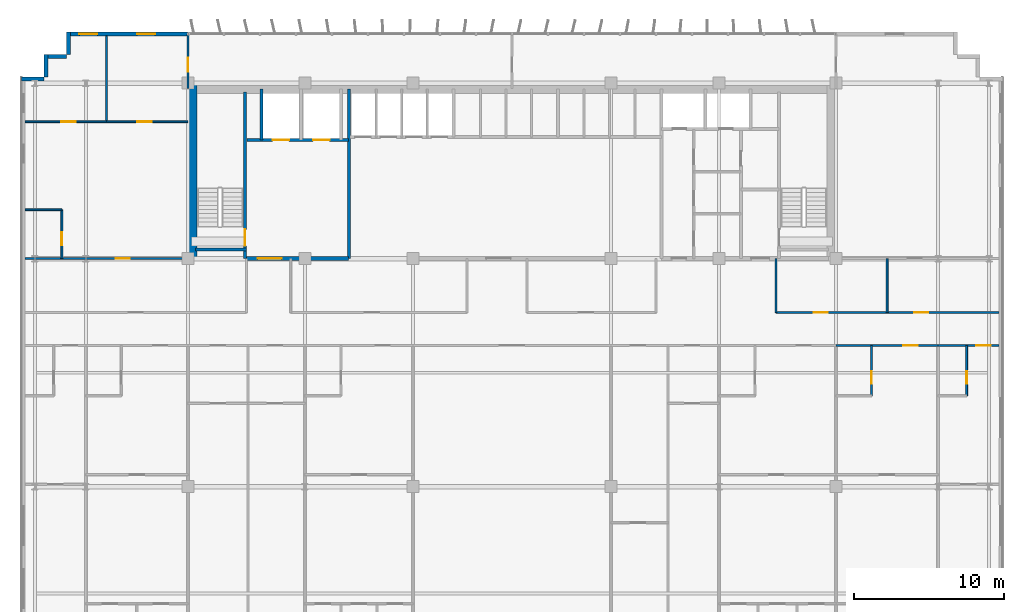
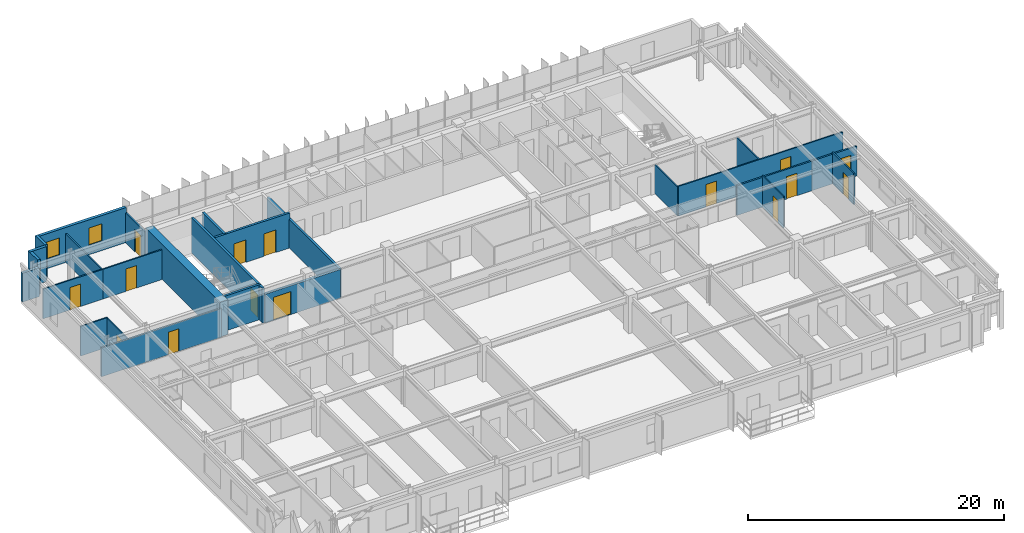
# One storey, part 17 of 22: 26 walls, 15 doors, 2 windows, 17 openings.
"""IFC4 building model written with IfcOpenShell, lengths in metres."""

from ifc_helpers import new_model, si_unit, direction, frame, frame_2d, origin, place, context, subcontext, project, spatial, rectangle, extrude, source, transform, mapped, material, layer, layer_set, type_object, element, fill, save


model = new_model("IFC4")

# Units and contexts
model_context = context("Model", 3, precision=1e-05, world=origin(), true_north=direction((0.0, 1.0)))
body_context = subcontext(model_context, "Body", "Model", "MODEL_VIEW")
ifc_project = project(units=[si_unit("LENGTHUNIT", "METRE"), si_unit("AREAUNIT", "SQUARE_METRE"), si_unit("VOLUMEUNIT", "CUBIC_METRE"), si_unit("PLANEANGLEUNIT", "RADIAN"), si_unit("MASSUNIT", "GRAM", prefix="KILO")], contexts=[model_context])

# Site, building, storey
site_placement = place(None, origin())
site = spatial("IfcSite", under=ifc_project, at=site_placement, CompositionType="ELEMENT")
building_placement = place(site_placement, origin())
building = spatial("IfcBuilding", under=site, at=building_placement, Name="Trelvane Seafront Commons", CompositionType="ELEMENT")
storey_placement = place(building_placement, frame((0.0, 0.0, 96.10009765625)))
storey = spatial("IfcBuildingStorey", under=building, at=storey_placement, Name="L24", CompositionType="ELEMENT", Elevation=96.10009765625)

# Wall, openings, windows
ifc_material_1 = material(Name="Precast concrete C40/50", Category="concrete")
ifc_layer_1 = layer(ifc_material_1, 0.260009765625, Name="ARCH-WALL-EXT260")
ifc_layer_set_1 = layer_set([ifc_layer_1], Name="Precast concrete C40/50")
wall_type_1 = type_object("IfcWallType", Name="ARCH-WALL-EXT260", PredefinedType="SOLIDWALL", material=ifc_layer_set_1)
wall_1_placement = place(storey_placement, frame((7.60009765625, 48.3701171875, 0.0), z_axis=(0.0, 0.0, 1.0), x_axis=(1.0, 0.0, 0.0)))
wall_1 = element("IfcWall", 1, at=wall_1_placement, inside=storey, type_object=wall_type_1, Name="EW-L24-NW-0433", PredefinedType="SOLIDWALL", context=body_context, shape_type="SweptSolid", body=[
    extrude(rectangle(XDim=8.0, YDim=0.260009765625, at=frame_2d((4.0, 0.0))), origin(), (0.0, 0.0, 1.0), 3.33984375),
])
opening_1_placement = place(wall_1_placement, frame((0.76806640625, 0.0, 0.89990234375)))
opening_1 = element("IfcOpeningElement", 2, at=opening_1_placement, cuts=wall_1, Name="Opening W05", PredefinedType="OPENING", context=body_context, shape_type="SweptSolid", body=[
    extrude(rectangle(XDim=1.199951171875, YDim=1.64990234375, at=frame_2d((0.60009765625, 0.824951171875))), frame((0.0, 0.139892578125, 0.0), z_axis=(0.0, -1.0, 0.0), x_axis=(1.0, 0.0, 0.0)), (0.0, 0.0, 1.0), 0.280029296875),
])
opening_2_placement = place(wall_1_placement, frame((4.60791015625, 0.0, 0.89990234375)))
opening_2 = element("IfcOpeningElement", 3, at=opening_2_placement, cuts=wall_1, Name="Opening W05", PredefinedType="OPENING", context=body_context, shape_type="SweptSolid", body=[
    extrude(rectangle(XDim=1.199951171875, YDim=1.64990234375, at=frame_2d((0.60009765625, 0.824951171875))), frame((0.0, 0.139892578125, 0.0), z_axis=(0.0, -1.0, 0.0), x_axis=(1.0, 0.0, 0.0)), (0.0, 0.0, 1.0), 0.280029296875),
])
ifc_material_2 = material(Name="Low-E coastal double glazing", Category="glass")
window_type = type_object("IfcWindowType", Name="ARCH-WIN-W05", PartitioningType="SINGLE_PANEL", PredefinedType="WINDOW", material=ifc_material_2)
shared_shape_1 = source(origin(), body_context, "Body", "SweptSolid", [
    extrude(rectangle(XDim=1.199951171875, YDim=1.64990234375, at=frame_2d((0.60009765625, 0.824951171875))), frame((0.0, 0.030029296875, 0.0), z_axis=(0.0, -1.0, 0.0), x_axis=(1.0, 0.0, 0.0)), (0.0, 0.0, 1.0), 0.06005859375),
])
window_1_placement = place(opening_1_placement, origin())
window_1 = element("IfcWindow", 4, at=window_1_placement, inside=storey, type_object=window_type, Name="WIN-L24-00504", OverallHeight=1.64990234375, OverallWidth=1.199951171875, PartitioningType="SINGLE_PANEL", PredefinedType="WINDOW", context=body_context, shape_type="MappedRepresentation", body=[
    mapped(shared_shape_1, transform((0.0, 0.0, 0.0), x_axis=(1.0, 0.0, 0.0), y_axis=(0.0, 1.0, 0.0), z_axis=(0.0, 0.0, 1.0), scale=1.0)),
])
fill(opening_1, window_1)
window_2_placement = place(opening_2_placement, origin())
window_2 = element("IfcWindow", 5, at=window_2_placement, inside=storey, type_object=window_type, Name="WIN-L24-00505", OverallHeight=1.64990234375, OverallWidth=1.199951171875, PartitioningType="SINGLE_PANEL", PredefinedType="WINDOW", context=body_context, shape_type="MappedRepresentation", body=[
    mapped(shared_shape_1, transform((0.0, 0.0, 0.0), x_axis=(1.0, 0.0, 0.0), y_axis=(0.0, 1.0, 0.0), z_axis=(0.0, 0.0, 1.0), scale=1.0)),
])
fill(opening_2, window_2)

# Walls
wall_2_placement = place(storey_placement, frame((4.5, 45.3701171875, 0.0), z_axis=(0.0, 0.0, 1.0), x_axis=(1.0, 0.0, 0.0)))
element("IfcWall", 6, at=wall_2_placement, inside=storey, type_object=wall_type_1, Name="EW-L24-00439", PredefinedType="SOLIDWALL", context=body_context, shape_type="SweptSolid", body=[
    extrude(rectangle(XDim=1.5, YDim=0.260009765625, at=frame_2d((0.75, 0.0))), origin(), (0.0, 0.0, 1.0), 2.751953125),
])
for number, where, z_axis, x_axis, name in (
    (7, (6.1298828125, 45.5, 0.0), (0.0, 0.0, 1.0), (0.0, 1.0, 0.0), "EW-L24-00440"),
    (8, (6.0, 46.8701171875, 0.0), (0.0, 0.0, 1.0), (1.0, 0.0, 0.0), "EW-L24-00441"),
    (9, (7.6298828125, 47.0, 0.0), (0.0, 0.0, 1.0), (0.0, 1.0, 0.0), "EW-L24-00442"),
):
    element("IfcWall", number, at=place(storey_placement, frame(where, z_axis=z_axis, x_axis=x_axis)), inside=storey, type_object=wall_type_1, Name=name, PredefinedType="SOLIDWALL", context=body_context, shape_type="SweptSolid", body=[
        extrude(rectangle(XDim=1.5, YDim=0.260009765625, at=frame_2d((0.75, 0.0))), origin(), (0.0, 0.0, 1.0), 3.33984375),
    ])

# Wall, opening, door
ifc_material_3 = material(Name="Concrete C40/50", Category="concrete")
ifc_layer_2 = layer(ifc_material_3, 0.25, Name="ARCH-WALL-FIRE250")
ifc_layer_set_2 = layer_set([ifc_layer_2], Name="Concrete C40/50")
wall_type_2 = type_object("IfcWallType", Name="ARCH-WALL-FIRE250", PredefinedType="PARTITIONING", material=ifc_layer_set_2)
wall_3_placement = place(storey_placement, frame((19.5, 33.39990234375, 0.0), z_axis=(0.0, 0.0, 1.0), x_axis=(1.0, 0.0, 0.0)))
wall_3 = element("IfcWall", 10, at=wall_3_placement, inside=storey, type_object=wall_type_2, Name="W-L24-CS-FFL-013", PredefinedType="PARTITIONING", context=body_context, shape_type="SweptSolid", body=[
    extrude(rectangle(XDim=6.800048828125, YDim=0.25, at=frame_2d((3.39990234375, 0.0))), origin(), (0.0, 0.0, 1.0), 2.751953125),
])
opening_3_placement = place(wall_3_placement, frame((0.75, 0.0, 0.0)))
opening_3 = element("IfcOpeningElement", 11, at=opening_3_placement, cuts=wall_3, Name="Opening FD-L24-05", PredefinedType="OPENING", context=body_context, shape_type="SweptSolid", body=[
    extrude(rectangle(XDim=1.60009765625, YDim=2.199951171875, at=frame_2d((0.800048828125, 1.10009765625))), frame((0.0, 0.135009765625, 0.0), z_axis=(0.0, -1.0, 0.0), x_axis=(1.0, 0.0, 0.0)), (0.0, 0.0, 1.0), 0.27001953125),
])
ifc_material_4 = material(Name="Powder-coated aluminium frame", Category="aluminium")
door_type_1 = type_object("IfcDoorType", Name="ARCH-DR-FD60-1600", OperationType="DOUBLE_DOOR_SINGLE_SWING", PredefinedType="DOOR", material=ifc_material_4)
shared_shape_2 = source(origin(), body_context, "Body", "SweptSolid", [
    extrude(rectangle(XDim=1.60009765625, YDim=2.199951171875, at=frame_2d((0.800048828125, 1.10009765625))), frame((0.0, 0.02490234375, 0.0), z_axis=(0.0, -1.0, 0.0), x_axis=(1.0, 0.0, 0.0)), (0.0, 0.0, 1.0), 0.050048828125),
])
door_1_placement = place(opening_3_placement, origin())
door_1 = element("IfcDoor", 12, at=door_1_placement, inside=storey, type_object=door_type_1, Name="L24 Firefighting Lift Lobby Double Fire Door", OperationType="DOUBLE_DOOR_SINGLE_SWING", OverallHeight=2.199951171875, OverallWidth=1.60009765625, PredefinedType="DOOR", context=body_context, shape_type="MappedRepresentation", body=[
    mapped(shared_shape_2, transform((0.0, 0.0, 0.0), x_axis=(1.0, 0.0, 0.0), y_axis=(0.0, 1.0, 0.0), z_axis=(0.0, 0.0, 1.0), scale=1.0)),
])
fill(opening_3, door_1)

# Wall, openings, doors
ifc_material_5 = material(Name="Gypsum Drywall Acoustic Partition")
ifc_layer_3 = layer(ifc_material_5, 0.1201171875, Name="ARCH-WALL-PART120")
ifc_layer_set_3 = layer_set([ifc_layer_3], Name="Gypsum Drywall Acoustic Partition")
wall_type_3 = type_object("IfcWallType", Name="ARCH-WALL-PART120", PredefinedType="PARTITIONING", material=ifc_layer_set_3)
wall_4_placement = place(storey_placement, frame((54.800048828125, 29.800048828125, 0.0), z_axis=(0.0, 0.0, 1.0), x_axis=(1.0, 0.0, 0.0)))
wall_4 = element("IfcWall", 13, at=wall_4_placement, inside=storey, type_object=wall_type_3, Name="W-L24-CORR-N-E-042", PredefinedType="PARTITIONING", context=body_context, shape_type="SweptSolid", body=[
    extrude(rectangle(XDim=14.849853515625, YDim=0.1201171875, at=frame_2d((7.4248046875, 0.0))), origin(), (0.0, 0.0, 1.0), 2.83984375),
])
opening_4_placement = place(wall_4_placement, frame((2.5, 0.0, 0.0)))
opening_4 = element("IfcOpeningElement", 14, at=opening_4_placement, cuts=wall_4, Name="Opening D-L24-22", PredefinedType="OPENING", context=body_context, shape_type="SweptSolid", body=[
    extrude(rectangle(XDim=0.949951171875, YDim=2.14990234375, at=frame_2d((0.47509765625, 1.074951171875))), frame((0.0, 0.070068359375, 0.0), z_axis=(0.0, -1.0, 0.0), x_axis=(1.0, 0.0, 0.0)), (0.0, 0.0, 1.0), 0.14013671875),
])
opening_5_placement = place(wall_4_placement, frame((9.199951171875, 0.0, 0.0)))
opening_5 = element("IfcOpeningElement", 15, at=opening_5_placement, cuts=wall_4, Name="Opening D-L24-23", PredefinedType="OPENING", context=body_context, shape_type="SweptSolid", body=[
    extrude(rectangle(XDim=0.949951171875, YDim=2.14990234375, at=frame_2d((0.47509765625, 1.074951171875))), frame((0.0, 0.070068359375, 0.0), z_axis=(0.0, -1.0, 0.0), x_axis=(1.0, 0.0, 0.0)), (0.0, 0.0, 1.0), 0.14013671875),
])
ifc_material_6 = material(Name="Acoustic timber door leaf", Category="wood")
door_type_2 = type_object("IfcDoorType", Name="ARCH-DR-INT950", OperationType="NOTDEFINED", PredefinedType="DOOR", material=ifc_material_6)
shared_shape_3 = source(origin(), body_context, "Body", "SweptSolid", [
    extrude(rectangle(XDim=0.949951171875, YDim=2.14990234375, at=frame_2d((0.47509765625, 1.074951171875))), frame((0.0, 0.02490234375, 0.0), z_axis=(0.0, -1.0, 0.0), x_axis=(1.0, 0.0, 0.0)), (0.0, 0.0, 1.0), 0.050048828125),
])
door_2_placement = place(opening_4_placement, origin())
door_2 = element("IfcDoor", 16, at=door_2_placement, inside=storey, type_object=door_type_2, Name="L24 Door 22", OperationType="SINGLE_SWING_RIGHT", OverallHeight=2.14990234375, OverallWidth=0.949951171875, PredefinedType="DOOR", context=body_context, shape_type="MappedRepresentation", body=[
    mapped(shared_shape_3, transform((0.0, 0.0, 0.0), x_axis=(1.0, 0.0, 0.0), y_axis=(0.0, 1.0, 0.0), z_axis=(0.0, 0.0, 1.0), scale=1.0)),
])
fill(opening_4, door_2)
door_3_placement = place(opening_5_placement, origin())
door_3 = element("IfcDoor", 17, at=door_3_placement, inside=storey, type_object=door_type_2, Name="L24 Door 23", OperationType="SINGLE_SWING_LEFT", OverallHeight=2.14990234375, OverallWidth=0.949951171875, PredefinedType="DOOR", context=body_context, shape_type="MappedRepresentation", body=[
    mapped(shared_shape_3, transform((0.0, 0.0, 0.0), x_axis=(1.0, 0.0, 0.0), y_axis=(0.0, 1.0, 0.0), z_axis=(0.0, 0.0, 1.0), scale=1.0)),
])
fill(opening_5, door_3)

# Walls
for number, where, z_axis, x_axis, name in (
    (18, (62.199951171875, 29.800048828125, 0.0), (0.0, 0.0, 1.0), (0.0, 1.0, 0.0), "W-L24-N-LAUN-DV-043"),
    (19, (54.800048828125, 29.800048828125, 0.0), (0.0, 0.0, 1.0), (0.0, 1.0, 0.0), "W-L24-N-SPUR-E2-049"),
):
    element("IfcWall", number, at=place(storey_placement, frame(where, z_axis=z_axis, x_axis=x_axis)), inside=storey, type_object=wall_type_3, Name=name, PredefinedType="PARTITIONING", context=body_context, shape_type="SweptSolid", body=[
        extrude(rectangle(XDim=3.599853515625, YDim=0.1201171875, at=frame_2d((1.7998046875, 0.0))), origin(), (0.0, 0.0, 1.0), 2.751953125),
    ])

# Wall, opening, door
wall_5_placement = place(storey_placement, frame((7.199951171875, 33.39990234375, 0.0), z_axis=(0.0, 0.0, 1.0), x_axis=(0.0, 1.0, 0.0)))
wall_5 = element("IfcWall", 20, at=wall_5_placement, inside=storey, type_object=wall_type_3, Name="W-L24-NW-BE-050", PredefinedType="PARTITIONING", context=body_context, shape_type="SweptSolid", body=[
    extrude(rectangle(XDim=3.25, YDim=0.1201171875, at=frame_2d((1.625, 0.0))), origin(), (0.0, 0.0, 1.0), 2.751953125),
])
opening_6_placement = place(wall_5_placement, frame((0.89990234375, 0.0, 0.0)))
opening_6 = element("IfcOpeningElement", 21, at=opening_6_placement, cuts=wall_5, Name="Opening D-L24-24", PredefinedType="OPENING", context=body_context, shape_type="SweptSolid", body=[
    extrude(rectangle(XDim=0.85009765625, YDim=2.10009765625, at=frame_2d((0.425048828125, 1.050048828125))), frame((0.0, 0.070068359375, 0.0), z_axis=(0.0, -1.0, 0.0), x_axis=(1.0, 0.0, 0.0)), (0.0, 0.0, 1.0), 0.14013671875),
])
door_type_3 = type_object("IfcDoorType", Name="ARCH-DR-INT850", OperationType="NOTDEFINED", PredefinedType="DOOR", material=ifc_material_6)
shared_shape_4 = source(origin(), body_context, "Body", "SweptSolid", [
    extrude(rectangle(XDim=0.85009765625, YDim=2.10009765625, at=frame_2d((0.425048828125, 1.050048828125))), frame((0.0, 0.02490234375, 0.0), z_axis=(0.0, -1.0, 0.0), x_axis=(1.0, 0.0, 0.0)), (0.0, 0.0, 1.0), 0.050048828125),
])
door_4_placement = place(opening_6_placement, origin())
door_4 = element("IfcDoor", 22, at=door_4_placement, inside=storey, type_object=door_type_3, Name="L24 Door 24", OperationType="SINGLE_SWING_RIGHT", OverallHeight=2.10009765625, OverallWidth=0.85009765625, PredefinedType="DOOR", context=body_context, shape_type="MappedRepresentation", body=[
    mapped(shared_shape_4, transform((0.0, 0.0, 0.0), x_axis=(1.0, 0.0, 0.0), y_axis=(0.0, 1.0, 0.0), z_axis=(0.0, 0.0, 1.0), scale=1.0)),
])
fill(opening_6, door_4)

# Wall
wall_6_placement = place(storey_placement, frame((4.75, 36.64990234375, 0.0), z_axis=(0.0, 0.0, 1.0), x_axis=(1.0, 0.0, 0.0)))
element("IfcWall", 23, at=wall_6_placement, inside=storey, type_object=wall_type_3, Name="W-L24-NW-BN-051", PredefinedType="PARTITIONING", context=body_context, shape_type="SweptSolid", body=[
    extrude(rectangle(XDim=2.449951171875, YDim=0.1201171875, at=frame_2d((1.22509765625, 0.0))), origin(), (0.0, 0.0, 1.0), 2.83984375),
])

# Wall, opening, door
wall_7_placement = place(storey_placement, frame((4.75, 42.52001953125, 0.0), z_axis=(0.0, 0.0, 1.0), x_axis=(1.0, 0.0, 0.0)))
wall_7 = element("IfcWall", 24, at=wall_7_placement, inside=storey, type_object=wall_type_3, Name="W-L24-NW-KB1-052", PredefinedType="PARTITIONING", context=body_context, shape_type="SweptSolid", body=[
    extrude(rectangle(XDim=5.425048828125, YDim=0.1201171875, at=frame_2d((2.71240234375, 0.0))), origin(), (0.0, 0.0, 1.0), 2.83984375),
])
opening_7_placement = place(wall_7_placement, frame((2.423095703125, 0.0, 0.0)))
opening_7 = element("IfcOpeningElement", 25, at=opening_7_placement, cuts=wall_7, Name="Opening D-L24-25", PredefinedType="OPENING", context=body_context, shape_type="SweptSolid", body=[
    extrude(rectangle(XDim=0.949951171875, YDim=2.14990234375, at=frame_2d((0.47509765625, 1.074951171875))), frame((0.0, 0.070068359375, 0.0), z_axis=(0.0, -1.0, 0.0), x_axis=(1.0, 0.0, 0.0)), (0.0, 0.0, 1.0), 0.14013671875),
])
door_5_placement = place(opening_7_placement, origin())
door_5 = element("IfcDoor", 26, at=door_5_placement, inside=storey, type_object=door_type_2, Name="L24 Door 25", OperationType="SINGLE_SWING_LEFT", OverallHeight=2.14990234375, OverallWidth=0.949951171875, PredefinedType="DOOR", context=body_context, shape_type="MappedRepresentation", body=[
    mapped(shared_shape_3, transform((0.0, 0.0, 0.0), x_axis=(1.0, 0.0, 0.0), y_axis=(0.0, 1.0, 0.0), z_axis=(0.0, 0.0, 1.0), scale=1.0)),
])
fill(opening_7, door_5)

wall_8_placement = place(storey_placement, frame((10.175048828125, 42.52001953125, 0.0), z_axis=(0.0, 0.0, 1.0), x_axis=(1.0, 0.0, 0.0)))
wall_8 = element("IfcWall", 27, at=wall_8_placement, inside=storey, type_object=wall_type_3, Name="W-L24-NW-KB2-053", PredefinedType="PARTITIONING", context=body_context, shape_type="SweptSolid", body=[
    extrude(rectangle(XDim=5.425048828125, YDim=0.1201171875, at=frame_2d((2.71240234375, 0.0))), origin(), (0.0, 0.0, 1.0), 2.83984375),
])
opening_8_placement = place(wall_8_placement, frame((2.052001953125, 0.0, 0.0)))
opening_8 = element("IfcOpeningElement", 28, at=opening_8_placement, cuts=wall_8, Name="Opening D-L24-26", PredefinedType="OPENING", context=body_context, shape_type="SweptSolid", body=[
    extrude(rectangle(XDim=0.949951171875, YDim=2.14990234375, at=frame_2d((0.47509765625, 1.074951171875))), frame((0.0, 0.070068359375, 0.0), z_axis=(0.0, -1.0, 0.0), x_axis=(1.0, 0.0, 0.0)), (0.0, 0.0, 1.0), 0.14013671875),
])
door_6_placement = place(opening_8_placement, origin())
door_6 = element("IfcDoor", 29, at=door_6_placement, inside=storey, type_object=door_type_2, Name="L24 Door 26", OperationType="SINGLE_SWING_RIGHT", OverallHeight=2.14990234375, OverallWidth=0.949951171875, PredefinedType="DOOR", context=body_context, shape_type="MappedRepresentation", body=[
    mapped(shared_shape_3, transform((0.0, 0.0, 0.0), x_axis=(1.0, 0.0, 0.0), y_axis=(0.0, 1.0, 0.0), z_axis=(0.0, 0.0, 1.0), scale=1.0)),
])
fill(opening_8, door_6)

# Wall
wall_9_placement = place(storey_placement, frame((10.175048828125, 42.52001953125, 0.0), z_axis=(0.0, 0.0, 1.0), x_axis=(0.0, 1.0, 0.0)))
element("IfcWall", 30, at=wall_9_placement, inside=storey, type_object=wall_type_3, Name="W-L24-NW-KBDV-054", PredefinedType="PARTITIONING", context=body_context, shape_type="SweptSolid", body=[
    extrude(rectangle(XDim=5.719970703125, YDim=0.1201171875, at=frame_2d((2.85986328125, 0.0))), origin(), (0.0, 0.0, 1.0), 2.751953125),
])

# Wall, opening, door
wall_10_placement = place(storey_placement, frame((61.162109375, 24.25, 0.0), z_axis=(0.0, 0.0, 1.0), x_axis=(0.0, 1.0, 0.0)))
wall_10 = element("IfcWall", 31, at=wall_10_placement, inside=storey, type_object=wall_type_3, Name="W-L24-U10-BE-110", PredefinedType="PARTITIONING", context=body_context, shape_type="SweptSolid", body=[
    extrude(rectangle(XDim=3.35009765625, YDim=0.1201171875, at=frame_2d((1.675048828125, 0.0))), origin(), (0.0, 0.0, 1.0), 2.989990234375),
])
opening_9_placement = place(wall_10_placement, frame((0.800048828125, 0.0, 0.0)))
opening_9 = element("IfcOpeningElement", 32, at=opening_9_placement, cuts=wall_10, Name="Opening D-L24-63", PredefinedType="OPENING", context=body_context, shape_type="SweptSolid", body=[
    extrude(rectangle(XDim=0.85009765625, YDim=2.10009765625, at=frame_2d((0.425048828125, 1.050048828125))), frame((0.0, 0.070068359375, 0.0), z_axis=(0.0, -1.0, 0.0), x_axis=(1.0, 0.0, 0.0)), (0.0, 0.0, 1.0), 0.14013671875),
])
door_7_placement = place(opening_9_placement, origin())
door_7 = element("IfcDoor", 33, at=door_7_placement, inside=storey, type_object=door_type_3, Name="L24 Door 63", OperationType="SINGLE_SWING_LEFT", OverallHeight=2.10009765625, OverallWidth=0.85009765625, PredefinedType="DOOR", context=body_context, shape_type="MappedRepresentation", body=[
    mapped(shared_shape_4, transform((0.0, 0.0, 0.0), x_axis=(1.0, 0.0, 0.0), y_axis=(0.0, 1.0, 0.0), z_axis=(0.0, 0.0, 1.0), scale=1.0)),
])
fill(opening_9, door_7)

wall_11_placement = place(storey_placement, frame((67.5, 24.25, 0.0), z_axis=(0.0, 0.0, 1.0), x_axis=(0.0, 1.0, 0.0)))
wall_11 = element("IfcWall", 34, at=wall_11_placement, inside=storey, type_object=wall_type_3, Name="W-L24-U11-BE-117", PredefinedType="PARTITIONING", context=body_context, shape_type="SweptSolid", body=[
    extrude(rectangle(XDim=3.35009765625, YDim=0.1201171875, at=frame_2d((1.675048828125, 0.0))), origin(), (0.0, 0.0, 1.0), 2.989990234375),
])
opening_10_placement = place(wall_11_placement, frame((0.800048828125, 0.0, 0.0)))
opening_10 = element("IfcOpeningElement", 35, at=opening_10_placement, cuts=wall_11, Name="Opening D-L24-68", PredefinedType="OPENING", context=body_context, shape_type="SweptSolid", body=[
    extrude(rectangle(XDim=0.85009765625, YDim=2.10009765625, at=frame_2d((0.425048828125, 1.050048828125))), frame((0.0, 0.070068359375, 0.0), z_axis=(0.0, -1.0, 0.0), x_axis=(1.0, 0.0, 0.0)), (0.0, 0.0, 1.0), 0.14013671875),
])
door_8_placement = place(opening_10_placement, origin())
door_8 = element("IfcDoor", 36, at=door_8_placement, inside=storey, type_object=door_type_3, Name="L24 Door 68", OperationType="SINGLE_SWING_RIGHT", OverallHeight=2.10009765625, OverallWidth=0.85009765625, PredefinedType="DOOR", context=body_context, shape_type="MappedRepresentation", body=[
    mapped(shared_shape_4, transform((0.0, 0.0, 0.0), x_axis=(1.0, 0.0, 0.0), y_axis=(0.0, 1.0, 0.0), z_axis=(0.0, 0.0, 1.0), scale=1.0)),
])
fill(opening_10, door_8)

ifc_layer_4 = layer(ifc_material_5, 0.14990234375, Name="ARCH-WALL-PART150")
ifc_layer_set_4 = layer_set([ifc_layer_4], Name="Gypsum Drywall Acoustic Partition")
wall_type_4 = type_object("IfcWallType", Name="ARCH-WALL-PART150", PredefinedType="PARTITIONING", material=ifc_layer_set_4)
wall_12_placement = place(storey_placement, frame((4.75, 33.39990234375, 0.0), z_axis=(0.0, 0.0, 1.0), x_axis=(1.0, 0.0, 0.0)))
wall_12 = element("IfcWall", 37, at=wall_12_placement, inside=storey, type_object=wall_type_4, Name="W-L24-NW-ENT-055", PredefinedType="PARTITIONING", context=body_context, shape_type="SweptSolid", body=[
    extrude(rectangle(XDim=10.85009765625, YDim=0.14990234375, at=frame_2d((5.425048828125, 0.0))), origin(), (0.0, 0.0, 1.0), 2.751953125),
])
opening_11_placement = place(wall_12_placement, frame((6.02490234375, 0.0, 0.0)))
opening_11 = element("IfcOpeningElement", 38, at=opening_11_placement, cuts=wall_12, Name="Opening FD-L24-27", PredefinedType="OPENING", context=body_context, shape_type="SweptSolid", body=[
    extrude(rectangle(XDim=0.949951171875, YDim=2.14990234375, at=frame_2d((0.47509765625, 1.074951171875))), frame((0.0, 0.0849609375, 0.0), z_axis=(0.0, -1.0, 0.0), x_axis=(1.0, 0.0, 0.0)), (0.0, 0.0, 1.0), 0.169921875),
])
door_type_4 = type_object("IfcDoorType", Name="ARCH-DR-FD60-950", OperationType="NOTDEFINED", PredefinedType="DOOR", material=ifc_material_4)
door_9_placement = place(opening_11_placement, origin())
door_9 = element("IfcDoor", 39, at=door_9_placement, inside=storey, type_object=door_type_4, Name="L24 NW Flat Entrance Door", OperationType="SINGLE_SWING_LEFT", OverallHeight=2.14990234375, OverallWidth=0.949951171875, PredefinedType="DOOR", context=body_context, shape_type="MappedRepresentation", body=[
    mapped(shared_shape_3, transform((0.0, 0.0, 0.0), x_axis=(1.0, 0.0, 0.0), y_axis=(0.0, 1.0, 0.0), z_axis=(0.0, 0.0, 1.0), scale=1.0)),
])
fill(opening_11, door_9)

wall_13_placement = place(storey_placement, frame((15.60009765625, 44.75, 0.0), z_axis=(0.0, 0.0, 1.0), x_axis=(0.0, 1.0, 0.0)))
wall_13 = element("IfcWall", 40, at=wall_13_placement, inside=storey, type_object=wall_type_4, Name="W-L24-N-LINK-W-058", PredefinedType="PARTITIONING", context=body_context, shape_type="SweptSolid", body=[
    extrude(rectangle(XDim=3.610107421875, YDim=0.14990234375, at=frame_2d((1.80517578125, 0.0))), origin(), (0.0, 0.0, 1.0), 2.83984375),
])
opening_12_placement = place(wall_13_placement, frame((1.10009765625, 0.0, 0.0)))
opening_12 = element("IfcOpeningElement", 41, at=opening_12_placement, cuts=wall_13, Name="Opening FD-L24-30", PredefinedType="OPENING", context=body_context, shape_type="SweptSolid", body=[
    extrude(rectangle(XDim=0.949951171875, YDim=2.14990234375, at=frame_2d((0.47509765625, 1.074951171875))), frame((0.0, 0.0849609375, 0.0), z_axis=(0.0, -1.0, 0.0), x_axis=(1.0, 0.0, 0.0)), (0.0, 0.0, 1.0), 0.169921875),
])
door_10_placement = place(opening_12_placement, origin())
door_10 = element("IfcDoor", 42, at=door_10_placement, inside=storey, type_object=door_type_4, Name="L24 Door 30", OperationType="SINGLE_SWING_RIGHT", OverallHeight=2.14990234375, OverallWidth=0.949951171875, PredefinedType="DOOR", context=body_context, shape_type="MappedRepresentation", body=[
    mapped(shared_shape_3, transform((0.0, 0.0, 0.0), x_axis=(1.0, 0.0, 0.0), y_axis=(0.0, 1.0, 0.0), z_axis=(0.0, 0.0, 1.0), scale=1.0)),
])
fill(opening_12, door_10)

wall_14_placement = place(storey_placement, frame((58.800048828125, 27.60009765625, 0.0), z_axis=(0.0, 0.0, 1.0), x_axis=(1.0, 0.0, 0.0)))
wall_14 = element("IfcWall", 43, at=wall_14_placement, inside=storey, type_object=wall_type_4, Name="W-L24-CS-BAY-10-112", PredefinedType="PARTITIONING", context=body_context, shape_type="SweptSolid", body=[
    extrude(rectangle(XDim=6.800048828125, YDim=0.14990234375, at=frame_2d((3.39990234375, 0.0))), origin(), (0.0, 0.0, 1.0), 2.83984375),
])
opening_13_placement = place(wall_14_placement, frame((4.489990234375, 0.0, 0.0)))
opening_13 = element("IfcOpeningElement", 44, at=opening_13_placement, cuts=wall_14, Name="Opening FD-L24-64", PredefinedType="OPENING", context=body_context, shape_type="SweptSolid", body=[
    extrude(rectangle(XDim=0.949951171875, YDim=2.14990234375, at=frame_2d((0.47509765625, 1.074951171875))), frame((0.0, 0.0849609375, 0.0), z_axis=(0.0, -1.0, 0.0), x_axis=(1.0, 0.0, 0.0)), (0.0, 0.0, 1.0), 0.169921875),
])
door_11_placement = place(opening_13_placement, origin())
door_11 = element("IfcDoor", 45, at=door_11_placement, inside=storey, type_object=door_type_4, Name="L24 Unit 10 Entrance Door", OperationType="SINGLE_SWING_RIGHT", OverallHeight=2.14990234375, OverallWidth=0.949951171875, PredefinedType="DOOR", context=body_context, shape_type="MappedRepresentation", body=[
    mapped(shared_shape_3, transform((0.0, 0.0, 0.0), x_axis=(1.0, 0.0, 0.0), y_axis=(0.0, 1.0, 0.0), z_axis=(0.0, 0.0, 1.0), scale=1.0)),
])
fill(opening_13, door_11)

wall_15_placement = place(storey_placement, frame((65.60009765625, 27.60009765625, 0.0), z_axis=(0.0, 0.0, 1.0), x_axis=(1.0, 0.0, 0.0)))
wall_15 = element("IfcWall", 46, at=wall_15_placement, inside=storey, type_object=wall_type_4, Name="W-L24-CS-BAY-11-119", PredefinedType="PARTITIONING", context=body_context, shape_type="SweptSolid", body=[
    extrude(rectangle(XDim=4.054931640625, YDim=0.14990234375, at=frame_2d((2.02734375, 0.0))), origin(), (0.0, 0.0, 1.0), 2.83984375),
])
opening_14_placement = place(wall_15_placement, frame((2.5439453125, 0.0, 0.0)))
opening_14 = element("IfcOpeningElement", 47, at=opening_14_placement, cuts=wall_15, Name="Opening FD-L24-69", PredefinedType="OPENING", context=body_context, shape_type="SweptSolid", body=[
    extrude(rectangle(XDim=0.949951171875, YDim=2.14990234375, at=frame_2d((0.47509765625, 1.074951171875))), frame((0.0, 0.0849609375, 0.0), z_axis=(0.0, -1.0, 0.0), x_axis=(1.0, 0.0, 0.0)), (0.0, 0.0, 1.0), 0.169921875),
])
door_12_placement = place(opening_14_placement, origin())
door_12 = element("IfcDoor", 48, at=door_12_placement, inside=storey, type_object=door_type_4, Name="L24 Unit 11 Entrance Door", OperationType="SINGLE_SWING_LEFT", OverallHeight=2.14990234375, OverallWidth=0.949951171875, PredefinedType="DOOR", context=body_context, shape_type="MappedRepresentation", body=[
    mapped(shared_shape_3, transform((0.0, 0.0, 0.0), x_axis=(1.0, 0.0, 0.0), y_axis=(0.0, 1.0, 0.0), z_axis=(0.0, 0.0, 1.0), scale=1.0)),
])
fill(opening_14, door_12)

# Wall, openings, doors
ifc_layer_5 = layer(ifc_material_3, 0.199951171875, Name="ARCH-WALL-SHAFT200")
ifc_layer_set_5 = layer_set([ifc_layer_5], Name="Concrete C40/50")
wall_type_5 = type_object("IfcWallType", Name="ARCH-WALL-SHAFT200", PredefinedType="SOLIDWALL", material=ifc_layer_set_5)
wall_16_placement = place(storey_placement, frame((19.550048828125, 41.300048828125, 0.0), z_axis=(0.0, 0.0, 1.0), x_axis=(1.0, 0.0, 0.0)))
wall_16 = element("IfcWall", 49, at=wall_16_placement, inside=storey, type_object=wall_type_5, Name="W-L24-FFL-FRONT-008", PredefinedType="SOLIDWALL", context=body_context, shape_type="SweptSolid", body=[
    extrude(rectangle(XDim=6.75, YDim=0.199951171875, at=frame_2d((3.375, 0.0))), origin(), (0.0, 0.0, 1.0), 3.33984375),
])
opening_15_placement = place(wall_16_placement, frame((1.699951171875, 0.0, 0.0)))
opening_15 = element("IfcOpeningElement", 50, at=opening_15_placement, cuts=wall_16, Name="Opening LD-FF1-L24", PredefinedType="OPENING", context=body_context, shape_type="SweptSolid", body=[
    extrude(rectangle(XDim=1.10009765625, YDim=2.14990234375, at=frame_2d((0.550048828125, 1.074951171875))), frame((0.0, 0.10986328125, 0.0), z_axis=(0.0, -1.0, 0.0), x_axis=(1.0, 0.0, 0.0)), (0.0, 0.0, 1.0), 0.219970703125),
])
opening_16_placement = place(wall_16_placement, frame((4.39990234375, 0.0, 0.0)))
opening_16 = element("IfcOpeningElement", 51, at=opening_16_placement, cuts=wall_16, Name="Opening LD-FF2-L24", PredefinedType="OPENING", context=body_context, shape_type="SweptSolid", body=[
    extrude(rectangle(XDim=1.10009765625, YDim=2.14990234375, at=frame_2d((0.550048828125, 1.074951171875))), frame((0.0, 0.10986328125, 0.0), z_axis=(0.0, -1.0, 0.0), x_axis=(1.0, 0.0, 0.0)), (0.0, 0.0, 1.0), 0.219970703125),
])
ifc_material_7 = material(Name="Stainless steel balustrade", Category="steel")
door_type_5 = type_object("IfcDoorType", Name="ARCH-DR-LD1100", OperationType="DOUBLE_DOOR_SLIDING", PredefinedType="DOOR", material=ifc_material_7)
shared_shape_5 = source(origin(), body_context, "Body", "SweptSolid", [
    extrude(rectangle(XDim=1.10009765625, YDim=2.14990234375, at=frame_2d((0.550048828125, 1.074951171875))), frame((0.0, 0.02490234375, 0.0), z_axis=(0.0, -1.0, 0.0), x_axis=(1.0, 0.0, 0.0)), (0.0, 0.0, 1.0), 0.050048828125),
])
door_13_placement = place(opening_15_placement, origin())
door_13 = element("IfcDoor", 52, at=door_13_placement, inside=storey, type_object=door_type_5, Name="L24 Firefighting Lift FFL-1 Landing Door", OperationType="DOUBLE_DOOR_SLIDING", OverallHeight=2.14990234375, OverallWidth=1.10009765625, PredefinedType="DOOR", context=body_context, shape_type="MappedRepresentation", body=[
    mapped(shared_shape_5, transform((0.0, 0.0, 0.0), x_axis=(1.0, 0.0, 0.0), y_axis=(0.0, 1.0, 0.0), z_axis=(0.0, 0.0, 1.0), scale=1.0)),
])
fill(opening_15, door_13)
door_14_placement = place(opening_16_placement, origin())
door_14 = element("IfcDoor", 53, at=door_14_placement, inside=storey, type_object=door_type_5, Name="L24 Firefighting Lift FFL-2 Landing Door", OperationType="DOUBLE_DOOR_SLIDING", OverallHeight=2.14990234375, OverallWidth=1.10009765625, PredefinedType="DOOR", context=body_context, shape_type="MappedRepresentation", body=[
    mapped(shared_shape_5, transform((0.0, 0.0, 0.0), x_axis=(1.0, 0.0, 0.0), y_axis=(0.0, 1.0, 0.0), z_axis=(0.0, 0.0, 1.0), scale=1.0)),
])
fill(opening_16, door_14)

# Walls
wall_17_placement = place(storey_placement, frame((20.5, 41.300048828125, 0.0), z_axis=(0.0, 0.0, 1.0), x_axis=(0.0, 1.0, 0.0)))
element("IfcWall", 54, at=wall_17_placement, inside=storey, type_object=wall_type_5, Name="W-L24-FFL-SH-W-009", PredefinedType="SOLIDWALL", context=body_context, shape_type="SweptSolid", body=[
    extrude(rectangle(XDim=3.39990234375, YDim=0.199951171875, at=frame_2d((1.699951171875, 0.0))), origin(), (0.0, 0.0, 1.0), 3.33984375),
])
wall_18_placement = place(storey_placement, frame((26.35009765625, 33.39990234375, 0.0), z_axis=(0.0, 0.0, 1.0), x_axis=(0.0, 1.0, 0.0)))
element("IfcWall", 55, at=wall_18_placement, inside=storey, type_object=wall_type_5, Name="W-L24-FFL-EAST-012", PredefinedType="SOLIDWALL", context=body_context, shape_type="SweptSolid", body=[
    extrude(rectangle(XDim=11.300048828125, YDim=0.199951171875, at=frame_2d((5.64990234375, 0.0))), origin(), (0.0, 0.0, 1.0), 2.751953125),
])
ifc_material_8 = material(Name="Concrete C60/75", Category="concrete")
ifc_layer_6 = layer(ifc_material_8, 0.699951171875, Name="STR-WALL-CORE700")
ifc_layer_set_6 = layer_set([ifc_layer_6], Name="Concrete C60/75")
wall_type_6 = type_object("IfcWallType", Name="STR-WALL-CORE700", PredefinedType="SHEAR", material=ifc_layer_set_6)
wall_19_placement = place(storey_placement, frame((15.85009765625, 33.39990234375, 0.0), z_axis=(0.0, 0.0, 1.0), x_axis=(0.0, 1.0, 0.0)))
element("IfcWall", 56, at=wall_19_placement, inside=storey, type_object=wall_type_6, Name="W-L24-CW-END-002", PredefinedType="SHEAR", context=body_context, shape_type="SweptSolid", body=[
    extrude(rectangle(XDim=11.7001953125, YDim=0.699951171875, at=frame_2d((5.85009765625, 0.0))), origin(), (0.0, 0.0, 1.0), 3.33984375),
])
ifc_material_9 = material(Name="Concrete C50/60", Category="concrete")
ifc_layer_7 = layer(ifc_material_9, 0.199951171875, Name="STR-WALL-STAIR200")
ifc_layer_set_7 = layer_set([ifc_layer_7], Name="Concrete C50/60")
wall_type_7 = type_object("IfcWallType", Name="STR-WALL-STAIR200", PredefinedType="SHEAR", material=ifc_layer_set_7)
wall_20_placement = place(storey_placement, frame((16.10009765625, 34.0, 0.0), z_axis=(0.0, 0.0, 1.0), x_axis=(1.0, 0.0, 0.0)))
element("IfcWall", 57, at=wall_20_placement, inside=storey, type_object=wall_type_7, Name="W-L24-ST1-S-004", PredefinedType="SHEAR", context=body_context, shape_type="SweptSolid", body=[
    extrude(rectangle(XDim=3.39990234375, YDim=0.199951171875, at=frame_2d((1.699951171875, 0.0))), origin(), (0.0, 0.0, 1.0), 3.33984375),
])

# Wall, opening, door
wall_21_placement = place(storey_placement, frame((19.39990234375, 33.39990234375, 0.0), z_axis=(0.0, 0.0, 1.0), x_axis=(0.0, 1.0, 0.0)))
wall_21 = element("IfcWall", 58, at=wall_21_placement, inside=storey, type_object=wall_type_7, Name="W-L24-ST1-E-005", PredefinedType="SHEAR", context=body_context, shape_type="SweptSolid", body=[
    extrude(rectangle(XDim=11.10009765625, YDim=0.199951171875, at=frame_2d((5.550048828125, 0.0))), origin(), (0.0, 0.0, 1.0), 3.33984375),
])
opening_17_placement = place(wall_21_placement, frame((0.85009765625, 0.0, 0.0)))
opening_17 = element("IfcOpeningElement", 59, at=opening_17_placement, cuts=wall_21, Name="Opening ST-D1-L24", PredefinedType="OPENING", context=body_context, shape_type="SweptSolid", body=[
    extrude(rectangle(XDim=1.10009765625, YDim=2.14990234375, at=frame_2d((0.550048828125, 1.074951171875))), frame((0.0, 0.10986328125, 0.0), z_axis=(0.0, -1.0, 0.0), x_axis=(1.0, 0.0, 0.0)), (0.0, 0.0, 1.0), 0.219970703125),
])
door_type_6 = type_object("IfcDoorType", Name="ARCH-DR-FD90-1100", OperationType="NOTDEFINED", PredefinedType="DOOR", material=ifc_material_4)
door_15_placement = place(opening_17_placement, origin())
door_15 = element("IfcDoor", 60, at=door_15_placement, inside=storey, type_object=door_type_6, Name="L24 Stair ST-1 Lobby Fire Door", OperationType="SINGLE_SWING_LEFT", OverallHeight=2.14990234375, OverallWidth=1.10009765625, PredefinedType="DOOR", context=body_context, shape_type="MappedRepresentation", body=[
    mapped(shared_shape_5, transform((0.0, 0.0, 0.0), x_axis=(1.0, 0.0, 0.0), y_axis=(0.0, 1.0, 0.0), z_axis=(0.0, 0.0, 1.0), scale=1.0)),
])
fill(opening_17, door_15)

save(model, "model.ifc")
